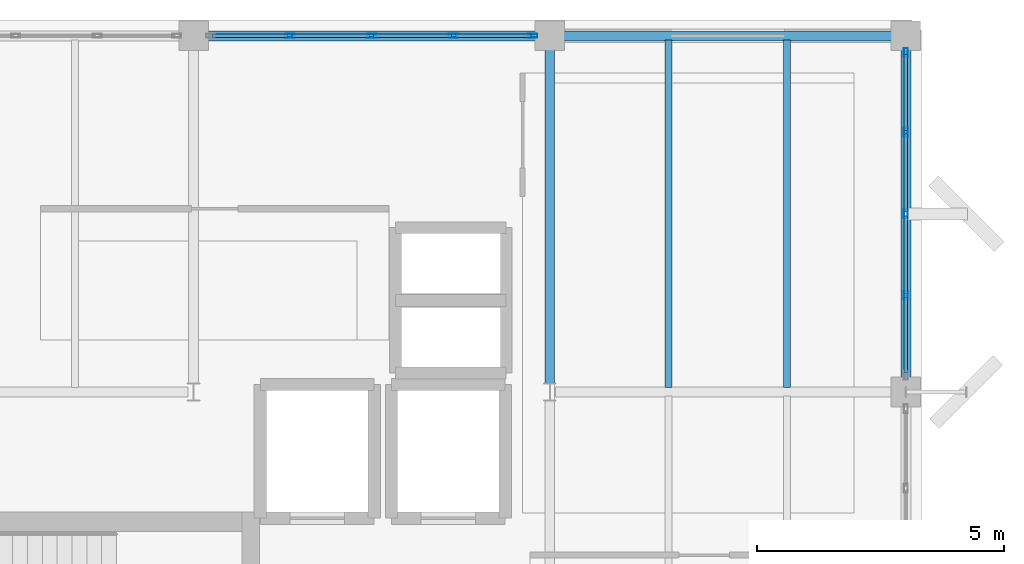
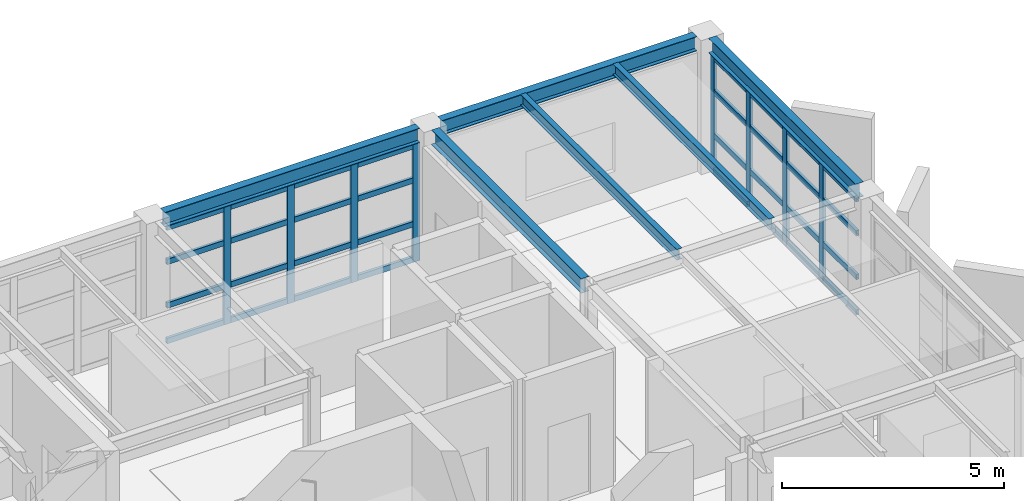
# One storey, part 8 of 15: 40 members, 6 beams, 2 elements without a shape of their own.
"""IFC4 building model written with IfcOpenShell, lengths in metres."""

from ifc_helpers import new_model, si_unit, direction, frame, origin, origin_2d, place, context, subcontext, project, spatial, hollow_rectangle, i_section, extrude, material, layer, layer_set, material_profile, profile_set, type_object, element, aggregate, save


model = new_model("IFC4")

# Units and contexts
model_context = context("Model", 3, precision=1e-05, world=origin(), true_north=direction((0.0, 1.0)))
body_context = subcontext(model_context, "Body", "Model", "MODEL_VIEW")
ifc_project = project(units=[si_unit("LENGTHUNIT", "METRE"), si_unit("AREAUNIT", "SQUARE_METRE"), si_unit("VOLUMEUNIT", "CUBIC_METRE"), si_unit("PLANEANGLEUNIT", "RADIAN"), si_unit("MASSUNIT", "GRAM", prefix="KILO")], contexts=[model_context])

# Site, building, storey
site_placement = place(None, origin())
site = spatial("IfcSite", under=ifc_project, at=site_placement, CompositionType="ELEMENT")
building_placement = place(site_placement, origin())
building = spatial("IfcBuilding", under=site, at=building_placement, Name="Kandorven Conservatory and Botanical Research Centre", CompositionType="ELEMENT")
storey_placement = place(building_placement, frame((0.0, 0.0, 48.300048828125)))
storey = spatial("IfcBuildingStorey", under=building, at=storey_placement, Name="L12", CompositionType="ELEMENT", Elevation=48.300048828125)

# Beams
ifc_material_1 = material(Name="Steel S355 (IS 2062 E350)", Category="steel")
ifc_material_profile_1 = material_profile(ifc_material_1, i_section(OverallWidth=0.199951171875, OverallDepth=0.39990234375, WebThickness=0.008544921875, FlangeThickness=0.012939453125, at=origin_2d()))
ifc_profile_set_1 = profile_set([ifc_material_profile_1], Name="Steel S355 (IS 2062 E350)")
beam_type_1 = type_object("IfcBeamType", Name="Beam_FG-03", PredefinedType="USERDEFINED", material=ifc_profile_set_1)
for number, where, z_axis, x_axis, name in (
    (1, (20.68994140625, 27.60009765625, 3.47998046875), (1.0, 0.0, 0.0), (0.0, 1.0, 0.0), "Primary girder FG-03 TWR L12"),
    (2, (27.889892578125, 27.60009765625, 3.47998046875), (1.0, 0.0, 0.0), (0.0, 1.0, 0.0), "Primary girder FG-03 TWR L12"),
):
    element("IfcBeam", number, at=place(storey_placement, frame(where, z_axis=z_axis, x_axis=x_axis)), inside=storey, type_object=beam_type_1, Name=name, ObjectType="GIRDER", PredefinedType="USERDEFINED", context=body_context, shape_type="SweptSolid", body=[
        extrude(i_section(OverallWidth=0.199951171875, OverallDepth=0.39990234375, WebThickness=0.008544921875, FlangeThickness=0.012939453125, at=origin_2d()), origin(), (0.0, 0.0, 1.0), 6.6201171875),
    ])
beam_1_placement = place(storey_placement, frame((27.60009765625, 20.56494140625, 3.47998046875), z_axis=(0.0, 1.0, 0.0), x_axis=(-1.0, 0.0, 0.0)))
element("IfcBeam", 3, at=beam_1_placement, inside=storey, type_object=beam_type_1, Name="Primary girder FG-03 TWR L12", ObjectType="GIRDER", PredefinedType="USERDEFINED", context=body_context, shape_type="SweptSolid", body=[
    extrude(i_section(OverallWidth=0.199951171875, OverallDepth=0.39990234375, WebThickness=0.008544921875, FlangeThickness=0.012939453125, at=origin_2d()), origin(), (0.0, 0.0, 1.0), 6.7451171875),
])
beam_2_placement = place(storey_placement, frame((34.800048828125, 20.68994140625, 3.47998046875), z_axis=(0.0, 1.0, 0.0), x_axis=(-1.0, 0.0, 0.0)))
element("IfcBeam", 4, at=beam_2_placement, inside=storey, type_object=beam_type_1, Name="Primary girder FG-03 TWR L12", ObjectType="GIRDER", PredefinedType="USERDEFINED", context=body_context, shape_type="SweptSolid", body=[
    extrude(i_section(OverallWidth=0.199951171875, OverallDepth=0.39990234375, WebThickness=0.008544921875, FlangeThickness=0.012939453125, at=origin_2d()), origin(), (0.0, 0.0, 1.0), 6.6201171875),
])
ifc_material_2 = material(Name="Steel S355 (IS 2062 E350)", Category="steel")
ifc_material_profile_2 = material_profile(ifc_material_2, i_section(OverallWidth=0.139892578125, OverallDepth=0.300048828125, WebThickness=0.0078125, FlangeThickness=0.01318359375, at=origin_2d()))
ifc_profile_set_2 = profile_set([ifc_material_profile_2], Name="Steel S355 (IS 2062 E350)")
beam_type_2 = type_object("IfcBeamType", Name="Beam_SB-07", PredefinedType="BEAM", material=ifc_profile_set_2)
for number, where, z_axis, x_axis, name in (
    (5, (30.0, 20.485107421875, 3.530029296875), (0.0, 1.0, 0.0), (-1.0, 0.0, 0.0), "Composite secondary beam SB-07 TWR L12"),
    (6, (32.39990234375, 20.485107421875, 3.530029296875), (0.0, 1.0, 0.0), (-1.0, 0.0, 0.0), "Composite secondary beam SB-07 TWR L12"),
):
    element("IfcBeam", number, at=place(storey_placement, frame(where, z_axis=z_axis, x_axis=x_axis)), inside=storey, type_object=beam_type_2, Name=name, PredefinedType="BEAM", context=body_context, shape_type="SweptSolid", body=[
        extrude(i_section(OverallWidth=0.139892578125, OverallDepth=0.300048828125, WebThickness=0.0078125, FlangeThickness=0.01318359375, at=origin_2d()), origin(), (0.0, 0.0, 1.0), 7.02978515625),
    ])

# Curtain wall, members
ifc_material_3 = material(Name="Bronze anodised thermally broken aluminium", Category="aluminium")
ifc_layer = layer(ifc_material_3, 0.179931640625)
ifc_layer_set = layer_set([ifc_layer], Name="Bronze anodised thermally broken aluminium")
curtain_wall_type = type_object("IfcCurtainWallType", Name="CW_Unitised", PredefinedType="USERDEFINED", material=ifc_layer_set)
curtain_wall_1_placement = place(storey_placement, origin())
curtain_wall_1 = element("IfcCurtainWall", 7, at=curtain_wall_1_placement, inside=storey, type_object=curtain_wall_type, Name="Tower laboratory curtain wall CW-TWR-N-L12-3", ObjectType="UNITISED GLAZING", PredefinedType="USERDEFINED")
ifc_material_4 = material(Name="Bronze anodised thermally broken aluminium", Category="aluminium")
ifc_material_profile_3 = material_profile(ifc_material_4, hollow_rectangle(XDim=0.080078125, YDim=0.179931640625, WallThickness=0.006103515625, at=origin_2d()))
ifc_profile_set_3 = profile_set([ifc_material_profile_3], Name="Bronze anodised thermally broken aluminium")
member_type_1 = type_object("IfcMemberType", Name="CW_Mullion", PredefinedType="MULLION", material=ifc_profile_set_3)
member_1_placement = place(storey_placement, frame((22.35009765625, 27.60009765625, 0.0), z_axis=(0.0, 0.0, 1.0), x_axis=(0.0, 1.0, 0.0)))
member_1 = element("IfcMember", 8, at=member_1_placement, type_object=member_type_1, Name="CW-01 mullion 2", PredefinedType="MULLION", context=body_context, shape_type="SweptSolid", body=[
    extrude(hollow_rectangle(XDim=0.080078125, YDim=0.179931640625, WallThickness=0.006103515625, at=origin_2d()), origin(), (0.0, 0.0, 1.0), 3.260009765625),
])
member_2_placement = place(storey_placement, frame((24.0, 27.60009765625, 0.0), z_axis=(0.0, 0.0, 1.0), x_axis=(0.0, 1.0, 0.0)))
member_2 = element("IfcMember", 9, at=member_2_placement, type_object=member_type_1, Name="CW-01 mullion 3", PredefinedType="MULLION", context=body_context, shape_type="SweptSolid", body=[
    extrude(hollow_rectangle(XDim=0.080078125, YDim=0.179931640625, WallThickness=0.006103515625, at=origin_2d()), origin(), (0.0, 0.0, 1.0), 3.260009765625),
])
member_3_placement = place(storey_placement, frame((25.64990234375, 27.60009765625, 0.0), z_axis=(0.0, 0.0, 1.0), x_axis=(0.0, 1.0, 0.0)))
member_3 = element("IfcMember", 10, at=member_3_placement, type_object=member_type_1, Name="CW-01 mullion 4", PredefinedType="MULLION", context=body_context, shape_type="SweptSolid", body=[
    extrude(hollow_rectangle(XDim=0.080078125, YDim=0.179931640625, WallThickness=0.006103515625, at=origin_2d()), origin(), (0.0, 0.0, 1.0), 3.260009765625),
])
member_4_placement = place(storey_placement, frame((27.260009765625, 27.60009765625, 0.0), z_axis=(0.0, 0.0, 1.0), x_axis=(0.0, 1.0, 0.0)))
member_4 = element("IfcMember", 11, at=member_4_placement, type_object=member_type_1, Name="CW-01 mullion 5", PredefinedType="MULLION", context=body_context, shape_type="SweptSolid", body=[
    extrude(hollow_rectangle(XDim=0.080078125, YDim=0.179931640625, WallThickness=0.006103515625, at=origin_2d()), origin(), (0.0, 0.0, 1.0), 3.260009765625),
])

curtain_wall_2_placement = place(storey_placement, origin())
curtain_wall_2 = element("IfcCurtainWall", 12, at=curtain_wall_2_placement, inside=storey, type_object=curtain_wall_type, Name="Tower laboratory curtain wall CW-TWR-E-L12-3", ObjectType="UNITISED GLAZING", PredefinedType="USERDEFINED")
member_5_placement = place(storey_placement, frame((34.800048828125, 22.35009765625, 0.0), z_axis=(0.0, 0.0, 1.0), x_axis=(-1.0, 0.0, 0.0)))
member_5 = element("IfcMember", 13, at=member_5_placement, type_object=member_type_1, Name="CW-01 mullion 2", PredefinedType="MULLION", context=body_context, shape_type="SweptSolid", body=[
    extrude(hollow_rectangle(XDim=0.080078125, YDim=0.179931640625, WallThickness=0.006103515625, at=origin_2d()), origin(), (0.0, 0.0, 1.0), 3.260009765625),
])
member_6_placement = place(storey_placement, frame((34.800048828125, 24.0, 0.0), z_axis=(0.0, 0.0, 1.0), x_axis=(-1.0, 0.0, 0.0)))
member_6 = element("IfcMember", 14, at=member_6_placement, type_object=member_type_1, Name="CW-01 mullion 3", PredefinedType="MULLION", context=body_context, shape_type="SweptSolid", body=[
    extrude(hollow_rectangle(XDim=0.080078125, YDim=0.179931640625, WallThickness=0.006103515625, at=origin_2d()), origin(), (0.0, 0.0, 1.0), 3.260009765625),
])
member_7_placement = place(storey_placement, frame((34.800048828125, 25.64990234375, 0.0), z_axis=(0.0, 0.0, 1.0), x_axis=(-1.0, 0.0, 0.0)))
member_7 = element("IfcMember", 15, at=member_7_placement, type_object=member_type_1, Name="CW-01 mullion 4", PredefinedType="MULLION", context=body_context, shape_type="SweptSolid", body=[
    extrude(hollow_rectangle(XDim=0.080078125, YDim=0.179931640625, WallThickness=0.006103515625, at=origin_2d()), origin(), (0.0, 0.0, 1.0), 3.260009765625),
])
member_8_placement = place(storey_placement, frame((34.800048828125, 27.260009765625, 0.0), z_axis=(0.0, 0.0, 1.0), x_axis=(-1.0, 0.0, 0.0)))
member_8 = element("IfcMember", 16, at=member_8_placement, type_object=member_type_1, Name="CW-01 mullion 5", PredefinedType="MULLION", context=body_context, shape_type="SweptSolid", body=[
    extrude(hollow_rectangle(XDim=0.080078125, YDim=0.179931640625, WallThickness=0.006103515625, at=origin_2d()), origin(), (0.0, 0.0, 1.0), 3.260009765625),
])

# Member
ifc_material_5 = material(Name="Bronze anodised thermally broken aluminium", Category="aluminium")
ifc_material_profile_4 = material_profile(ifc_material_5, hollow_rectangle(XDim=0.074951171875, YDim=0.14990234375, WallThickness=0.006103515625, at=origin_2d()))
ifc_profile_set_4 = profile_set([ifc_material_profile_4], Name="Bronze anodised thermally broken aluminium")
member_type_2 = type_object("IfcMemberType", Name="CW_Transom", PredefinedType="USERDEFINED", material=ifc_profile_set_4)
member_9_placement = place(storey_placement, frame((20.780029296875, 27.60009765625, 0.074951171875), z_axis=(1.0, 0.0, 0.0), x_axis=(0.0, 1.0, 0.0)))
member_9 = element("IfcMember", 17, at=member_9_placement, type_object=member_type_2, Name="CW-01 transom 1.1", ObjectType="TRANSOM", PredefinedType="USERDEFINED", context=body_context, shape_type="SweptSolid", body=[
    extrude(hollow_rectangle(XDim=0.074951171875, YDim=0.14990234375, WallThickness=0.006103515625, at=origin_2d()), origin(), (0.0, 0.0, 1.0), 1.530029296875),
])

member_10_placement = place(storey_placement, frame((20.780029296875, 27.60009765625, 1.050048828125), z_axis=(1.0, 0.0, 0.0), x_axis=(0.0, 1.0, 0.0)))
member_10 = element("IfcMember", 18, at=member_10_placement, type_object=member_type_2, Name="CW-01 transom 1.2", ObjectType="TRANSOM", PredefinedType="USERDEFINED", context=body_context, shape_type="SweptSolid", body=[
    extrude(hollow_rectangle(XDim=0.074951171875, YDim=0.14990234375, WallThickness=0.006103515625, at=origin_2d()), origin(), (0.0, 0.0, 1.0), 1.530029296875),
])

member_11_placement = place(storey_placement, frame((20.780029296875, 27.60009765625, 2.25), z_axis=(1.0, 0.0, 0.0), x_axis=(0.0, 1.0, 0.0)))
member_11 = element("IfcMember", 19, at=member_11_placement, type_object=member_type_2, Name="CW-01 transom 1.3", ObjectType="TRANSOM", PredefinedType="USERDEFINED", context=body_context, shape_type="SweptSolid", body=[
    extrude(hollow_rectangle(XDim=0.074951171875, YDim=0.14990234375, WallThickness=0.006103515625, at=origin_2d()), origin(), (0.0, 0.0, 1.0), 1.530029296875),
])

member_12_placement = place(storey_placement, frame((20.780029296875, 27.60009765625, 3.18505859375), z_axis=(1.0, 0.0, 0.0), x_axis=(0.0, 1.0, 0.0)))
member_12 = element("IfcMember", 20, at=member_12_placement, type_object=member_type_2, Name="CW-01 transom 1.4", ObjectType="TRANSOM", PredefinedType="USERDEFINED", context=body_context, shape_type="SweptSolid", body=[
    extrude(hollow_rectangle(XDim=0.074951171875, YDim=0.14990234375, WallThickness=0.006103515625, at=origin_2d()), origin(), (0.0, 0.0, 1.0), 1.530029296875),
])

member_13_placement = place(storey_placement, frame((22.389892578125, 27.60009765625, 0.074951171875), z_axis=(1.0, 0.0, 0.0), x_axis=(0.0, 1.0, 0.0)))
member_13 = element("IfcMember", 21, at=member_13_placement, type_object=member_type_2, Name="CW-01 transom 2.1", ObjectType="TRANSOM", PredefinedType="USERDEFINED", context=body_context, shape_type="SweptSolid", body=[
    extrude(hollow_rectangle(XDim=0.074951171875, YDim=0.14990234375, WallThickness=0.006103515625, at=origin_2d()), origin(), (0.0, 0.0, 1.0), 1.570068359375),
])

member_14_placement = place(storey_placement, frame((22.389892578125, 27.60009765625, 1.050048828125), z_axis=(1.0, 0.0, 0.0), x_axis=(0.0, 1.0, 0.0)))
member_14 = element("IfcMember", 22, at=member_14_placement, type_object=member_type_2, Name="CW-01 transom 2.2", ObjectType="TRANSOM", PredefinedType="USERDEFINED", context=body_context, shape_type="SweptSolid", body=[
    extrude(hollow_rectangle(XDim=0.074951171875, YDim=0.14990234375, WallThickness=0.006103515625, at=origin_2d()), origin(), (0.0, 0.0, 1.0), 1.570068359375),
])

member_15_placement = place(storey_placement, frame((22.389892578125, 27.60009765625, 2.25), z_axis=(1.0, 0.0, 0.0), x_axis=(0.0, 1.0, 0.0)))
member_15 = element("IfcMember", 23, at=member_15_placement, type_object=member_type_2, Name="CW-01 transom 2.3", ObjectType="TRANSOM", PredefinedType="USERDEFINED", context=body_context, shape_type="SweptSolid", body=[
    extrude(hollow_rectangle(XDim=0.074951171875, YDim=0.14990234375, WallThickness=0.006103515625, at=origin_2d()), origin(), (0.0, 0.0, 1.0), 1.570068359375),
])

member_16_placement = place(storey_placement, frame((22.389892578125, 27.60009765625, 3.18505859375), z_axis=(1.0, 0.0, 0.0), x_axis=(0.0, 1.0, 0.0)))
member_16 = element("IfcMember", 24, at=member_16_placement, type_object=member_type_2, Name="CW-01 transom 2.4", ObjectType="TRANSOM", PredefinedType="USERDEFINED", context=body_context, shape_type="SweptSolid", body=[
    extrude(hollow_rectangle(XDim=0.074951171875, YDim=0.14990234375, WallThickness=0.006103515625, at=origin_2d()), origin(), (0.0, 0.0, 1.0), 1.570068359375),
])

member_17_placement = place(storey_placement, frame((24.0400390625, 27.60009765625, 0.074951171875), z_axis=(1.0, 0.0, 0.0), x_axis=(0.0, 1.0, 0.0)))
member_17 = element("IfcMember", 25, at=member_17_placement, type_object=member_type_2, Name="CW-01 transom 3.1", ObjectType="TRANSOM", PredefinedType="USERDEFINED", context=body_context, shape_type="SweptSolid", body=[
    extrude(hollow_rectangle(XDim=0.074951171875, YDim=0.14990234375, WallThickness=0.006103515625, at=origin_2d()), origin(), (0.0, 0.0, 1.0), 1.570068359375),
])

member_18_placement = place(storey_placement, frame((24.0400390625, 27.60009765625, 1.050048828125), z_axis=(1.0, 0.0, 0.0), x_axis=(0.0, 1.0, 0.0)))
member_18 = element("IfcMember", 26, at=member_18_placement, type_object=member_type_2, Name="CW-01 transom 3.2", ObjectType="TRANSOM", PredefinedType="USERDEFINED", context=body_context, shape_type="SweptSolid", body=[
    extrude(hollow_rectangle(XDim=0.074951171875, YDim=0.14990234375, WallThickness=0.006103515625, at=origin_2d()), origin(), (0.0, 0.0, 1.0), 1.570068359375),
])

member_19_placement = place(storey_placement, frame((24.0400390625, 27.60009765625, 2.25), z_axis=(1.0, 0.0, 0.0), x_axis=(0.0, 1.0, 0.0)))
member_19 = element("IfcMember", 27, at=member_19_placement, type_object=member_type_2, Name="CW-01 transom 3.3", ObjectType="TRANSOM", PredefinedType="USERDEFINED", context=body_context, shape_type="SweptSolid", body=[
    extrude(hollow_rectangle(XDim=0.074951171875, YDim=0.14990234375, WallThickness=0.006103515625, at=origin_2d()), origin(), (0.0, 0.0, 1.0), 1.570068359375),
])

member_20_placement = place(storey_placement, frame((24.0400390625, 27.60009765625, 3.18505859375), z_axis=(1.0, 0.0, 0.0), x_axis=(0.0, 1.0, 0.0)))
member_20 = element("IfcMember", 28, at=member_20_placement, type_object=member_type_2, Name="CW-01 transom 3.4", ObjectType="TRANSOM", PredefinedType="USERDEFINED", context=body_context, shape_type="SweptSolid", body=[
    extrude(hollow_rectangle(XDim=0.074951171875, YDim=0.14990234375, WallThickness=0.006103515625, at=origin_2d()), origin(), (0.0, 0.0, 1.0), 1.570068359375),
])

member_21_placement = place(storey_placement, frame((25.68994140625, 27.60009765625, 0.074951171875), z_axis=(1.0, 0.0, 0.0), x_axis=(0.0, 1.0, 0.0)))
member_21 = element("IfcMember", 29, at=member_21_placement, type_object=member_type_2, Name="CW-01 transom 4.1", ObjectType="TRANSOM", PredefinedType="USERDEFINED", context=body_context, shape_type="SweptSolid", body=[
    extrude(hollow_rectangle(XDim=0.074951171875, YDim=0.14990234375, WallThickness=0.006103515625, at=origin_2d()), origin(), (0.0, 0.0, 1.0), 1.530029296875),
])

member_22_placement = place(storey_placement, frame((25.68994140625, 27.60009765625, 1.050048828125), z_axis=(1.0, 0.0, 0.0), x_axis=(0.0, 1.0, 0.0)))
member_22 = element("IfcMember", 30, at=member_22_placement, type_object=member_type_2, Name="CW-01 transom 4.2", ObjectType="TRANSOM", PredefinedType="USERDEFINED", context=body_context, shape_type="SweptSolid", body=[
    extrude(hollow_rectangle(XDim=0.074951171875, YDim=0.14990234375, WallThickness=0.006103515625, at=origin_2d()), origin(), (0.0, 0.0, 1.0), 1.530029296875),
])

member_23_placement = place(storey_placement, frame((25.68994140625, 27.60009765625, 2.25), z_axis=(1.0, 0.0, 0.0), x_axis=(0.0, 1.0, 0.0)))
member_23 = element("IfcMember", 31, at=member_23_placement, type_object=member_type_2, Name="CW-01 transom 4.3", ObjectType="TRANSOM", PredefinedType="USERDEFINED", context=body_context, shape_type="SweptSolid", body=[
    extrude(hollow_rectangle(XDim=0.074951171875, YDim=0.14990234375, WallThickness=0.006103515625, at=origin_2d()), origin(), (0.0, 0.0, 1.0), 1.530029296875),
])

member_24_placement = place(storey_placement, frame((25.68994140625, 27.60009765625, 3.18505859375), z_axis=(1.0, 0.0, 0.0), x_axis=(0.0, 1.0, 0.0)))
member_24 = element("IfcMember", 32, at=member_24_placement, type_object=member_type_2, Name="CW-01 transom 4.4", ObjectType="TRANSOM", PredefinedType="USERDEFINED", context=body_context, shape_type="SweptSolid", body=[
    extrude(hollow_rectangle(XDim=0.074951171875, YDim=0.14990234375, WallThickness=0.006103515625, at=origin_2d()), origin(), (0.0, 0.0, 1.0), 1.530029296875),
])

aggregate(curtain_wall_1, [member_1, member_2, member_3, member_4, member_9, member_10, member_11, member_12, member_13, member_14, member_15, member_16, member_17, member_18, member_19, member_20, member_21, member_22, member_23, member_24])

member_25_placement = place(storey_placement, frame((34.800048828125, 20.780029296875, 0.074951171875), z_axis=(0.0, 1.0, 0.0), x_axis=(-1.0, 0.0, 0.0)))
member_25 = element("IfcMember", 33, at=member_25_placement, type_object=member_type_2, Name="CW-01 transom 1.1", ObjectType="TRANSOM", PredefinedType="USERDEFINED", context=body_context, shape_type="SweptSolid", body=[
    extrude(hollow_rectangle(XDim=0.074951171875, YDim=0.14990234375, WallThickness=0.006103515625, at=origin_2d()), origin(), (0.0, 0.0, 1.0), 1.530029296875),
])

member_26_placement = place(storey_placement, frame((34.800048828125, 20.780029296875, 1.050048828125), z_axis=(0.0, 1.0, 0.0), x_axis=(-1.0, 0.0, 0.0)))
member_26 = element("IfcMember", 34, at=member_26_placement, type_object=member_type_2, Name="CW-01 transom 1.2", ObjectType="TRANSOM", PredefinedType="USERDEFINED", context=body_context, shape_type="SweptSolid", body=[
    extrude(hollow_rectangle(XDim=0.074951171875, YDim=0.14990234375, WallThickness=0.006103515625, at=origin_2d()), origin(), (0.0, 0.0, 1.0), 1.530029296875),
])

member_27_placement = place(storey_placement, frame((34.800048828125, 20.780029296875, 2.25), z_axis=(0.0, 1.0, 0.0), x_axis=(-1.0, 0.0, 0.0)))
member_27 = element("IfcMember", 35, at=member_27_placement, type_object=member_type_2, Name="CW-01 transom 1.3", ObjectType="TRANSOM", PredefinedType="USERDEFINED", context=body_context, shape_type="SweptSolid", body=[
    extrude(hollow_rectangle(XDim=0.074951171875, YDim=0.14990234375, WallThickness=0.006103515625, at=origin_2d()), origin(), (0.0, 0.0, 1.0), 1.530029296875),
])

member_28_placement = place(storey_placement, frame((34.800048828125, 20.780029296875, 3.18505859375), z_axis=(0.0, 1.0, 0.0), x_axis=(-1.0, 0.0, 0.0)))
member_28 = element("IfcMember", 36, at=member_28_placement, type_object=member_type_2, Name="CW-01 transom 1.4", ObjectType="TRANSOM", PredefinedType="USERDEFINED", context=body_context, shape_type="SweptSolid", body=[
    extrude(hollow_rectangle(XDim=0.074951171875, YDim=0.14990234375, WallThickness=0.006103515625, at=origin_2d()), origin(), (0.0, 0.0, 1.0), 1.530029296875),
])

member_29_placement = place(storey_placement, frame((34.800048828125, 22.389892578125, 0.074951171875), z_axis=(0.0, 1.0, 0.0), x_axis=(-1.0, 0.0, 0.0)))
member_29 = element("IfcMember", 37, at=member_29_placement, type_object=member_type_2, Name="CW-01 transom 2.1", ObjectType="TRANSOM", PredefinedType="USERDEFINED", context=body_context, shape_type="SweptSolid", body=[
    extrude(hollow_rectangle(XDim=0.074951171875, YDim=0.14990234375, WallThickness=0.006103515625, at=origin_2d()), origin(), (0.0, 0.0, 1.0), 1.570068359375),
])

member_30_placement = place(storey_placement, frame((34.800048828125, 22.389892578125, 1.050048828125), z_axis=(0.0, 1.0, 0.0), x_axis=(-1.0, 0.0, 0.0)))
member_30 = element("IfcMember", 38, at=member_30_placement, type_object=member_type_2, Name="CW-01 transom 2.2", ObjectType="TRANSOM", PredefinedType="USERDEFINED", context=body_context, shape_type="SweptSolid", body=[
    extrude(hollow_rectangle(XDim=0.074951171875, YDim=0.14990234375, WallThickness=0.006103515625, at=origin_2d()), origin(), (0.0, 0.0, 1.0), 1.570068359375),
])

member_31_placement = place(storey_placement, frame((34.800048828125, 22.389892578125, 2.25), z_axis=(0.0, 1.0, 0.0), x_axis=(-1.0, 0.0, 0.0)))
member_31 = element("IfcMember", 39, at=member_31_placement, type_object=member_type_2, Name="CW-01 transom 2.3", ObjectType="TRANSOM", PredefinedType="USERDEFINED", context=body_context, shape_type="SweptSolid", body=[
    extrude(hollow_rectangle(XDim=0.074951171875, YDim=0.14990234375, WallThickness=0.006103515625, at=origin_2d()), origin(), (0.0, 0.0, 1.0), 1.570068359375),
])

member_32_placement = place(storey_placement, frame((34.800048828125, 22.389892578125, 3.18505859375), z_axis=(0.0, 1.0, 0.0), x_axis=(-1.0, 0.0, 0.0)))
member_32 = element("IfcMember", 40, at=member_32_placement, type_object=member_type_2, Name="CW-01 transom 2.4", ObjectType="TRANSOM", PredefinedType="USERDEFINED", context=body_context, shape_type="SweptSolid", body=[
    extrude(hollow_rectangle(XDim=0.074951171875, YDim=0.14990234375, WallThickness=0.006103515625, at=origin_2d()), origin(), (0.0, 0.0, 1.0), 1.570068359375),
])

member_33_placement = place(storey_placement, frame((34.800048828125, 24.0400390625, 0.074951171875), z_axis=(0.0, 1.0, 0.0), x_axis=(-1.0, 0.0, 0.0)))
member_33 = element("IfcMember", 41, at=member_33_placement, type_object=member_type_2, Name="CW-01 transom 3.1", ObjectType="TRANSOM", PredefinedType="USERDEFINED", context=body_context, shape_type="SweptSolid", body=[
    extrude(hollow_rectangle(XDim=0.074951171875, YDim=0.14990234375, WallThickness=0.006103515625, at=origin_2d()), origin(), (0.0, 0.0, 1.0), 1.570068359375),
])

member_34_placement = place(storey_placement, frame((34.800048828125, 24.0400390625, 1.050048828125), z_axis=(0.0, 1.0, 0.0), x_axis=(-1.0, 0.0, 0.0)))
member_34 = element("IfcMember", 42, at=member_34_placement, type_object=member_type_2, Name="CW-01 transom 3.2", ObjectType="TRANSOM", PredefinedType="USERDEFINED", context=body_context, shape_type="SweptSolid", body=[
    extrude(hollow_rectangle(XDim=0.074951171875, YDim=0.14990234375, WallThickness=0.006103515625, at=origin_2d()), origin(), (0.0, 0.0, 1.0), 1.570068359375),
])

member_35_placement = place(storey_placement, frame((34.800048828125, 24.0400390625, 2.25), z_axis=(0.0, 1.0, 0.0), x_axis=(-1.0, 0.0, 0.0)))
member_35 = element("IfcMember", 43, at=member_35_placement, type_object=member_type_2, Name="CW-01 transom 3.3", ObjectType="TRANSOM", PredefinedType="USERDEFINED", context=body_context, shape_type="SweptSolid", body=[
    extrude(hollow_rectangle(XDim=0.074951171875, YDim=0.14990234375, WallThickness=0.006103515625, at=origin_2d()), origin(), (0.0, 0.0, 1.0), 1.570068359375),
])

member_36_placement = place(storey_placement, frame((34.800048828125, 24.0400390625, 3.18505859375), z_axis=(0.0, 1.0, 0.0), x_axis=(-1.0, 0.0, 0.0)))
member_36 = element("IfcMember", 44, at=member_36_placement, type_object=member_type_2, Name="CW-01 transom 3.4", ObjectType="TRANSOM", PredefinedType="USERDEFINED", context=body_context, shape_type="SweptSolid", body=[
    extrude(hollow_rectangle(XDim=0.074951171875, YDim=0.14990234375, WallThickness=0.006103515625, at=origin_2d()), origin(), (0.0, 0.0, 1.0), 1.570068359375),
])

member_37_placement = place(storey_placement, frame((34.800048828125, 25.68994140625, 0.074951171875), z_axis=(0.0, 1.0, 0.0), x_axis=(-1.0, 0.0, 0.0)))
member_37 = element("IfcMember", 45, at=member_37_placement, type_object=member_type_2, Name="CW-01 transom 4.1", ObjectType="TRANSOM", PredefinedType="USERDEFINED", context=body_context, shape_type="SweptSolid", body=[
    extrude(hollow_rectangle(XDim=0.074951171875, YDim=0.14990234375, WallThickness=0.006103515625, at=origin_2d()), origin(), (0.0, 0.0, 1.0), 1.530029296875),
])

member_38_placement = place(storey_placement, frame((34.800048828125, 25.68994140625, 1.050048828125), z_axis=(0.0, 1.0, 0.0), x_axis=(-1.0, 0.0, 0.0)))
member_38 = element("IfcMember", 46, at=member_38_placement, type_object=member_type_2, Name="CW-01 transom 4.2", ObjectType="TRANSOM", PredefinedType="USERDEFINED", context=body_context, shape_type="SweptSolid", body=[
    extrude(hollow_rectangle(XDim=0.074951171875, YDim=0.14990234375, WallThickness=0.006103515625, at=origin_2d()), origin(), (0.0, 0.0, 1.0), 1.530029296875),
])

member_39_placement = place(storey_placement, frame((34.800048828125, 25.68994140625, 2.25), z_axis=(0.0, 1.0, 0.0), x_axis=(-1.0, 0.0, 0.0)))
member_39 = element("IfcMember", 47, at=member_39_placement, type_object=member_type_2, Name="CW-01 transom 4.3", ObjectType="TRANSOM", PredefinedType="USERDEFINED", context=body_context, shape_type="SweptSolid", body=[
    extrude(hollow_rectangle(XDim=0.074951171875, YDim=0.14990234375, WallThickness=0.006103515625, at=origin_2d()), origin(), (0.0, 0.0, 1.0), 1.530029296875),
])

member_40_placement = place(storey_placement, frame((34.800048828125, 25.68994140625, 3.18505859375), z_axis=(0.0, 1.0, 0.0), x_axis=(-1.0, 0.0, 0.0)))
member_40 = element("IfcMember", 48, at=member_40_placement, type_object=member_type_2, Name="CW-01 transom 4.4", ObjectType="TRANSOM", PredefinedType="USERDEFINED", context=body_context, shape_type="SweptSolid", body=[
    extrude(hollow_rectangle(XDim=0.074951171875, YDim=0.14990234375, WallThickness=0.006103515625, at=origin_2d()), origin(), (0.0, 0.0, 1.0), 1.530029296875),
])

aggregate(curtain_wall_2, [member_5, member_6, member_7, member_8, member_25, member_26, member_27, member_28, member_29, member_30, member_31, member_32, member_33, member_34, member_35, member_36, member_37, member_38, member_39, member_40])

save(model, "model.ifc")
